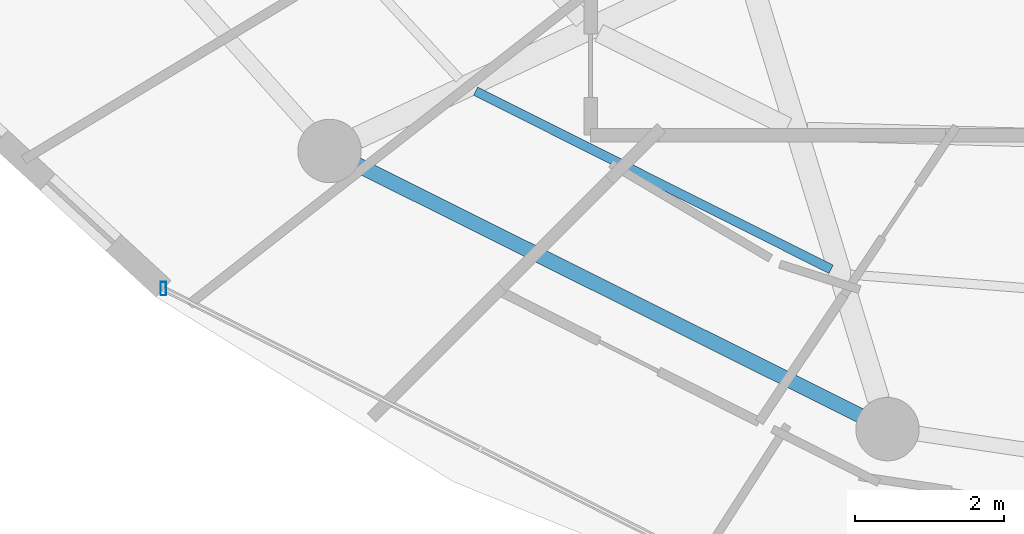
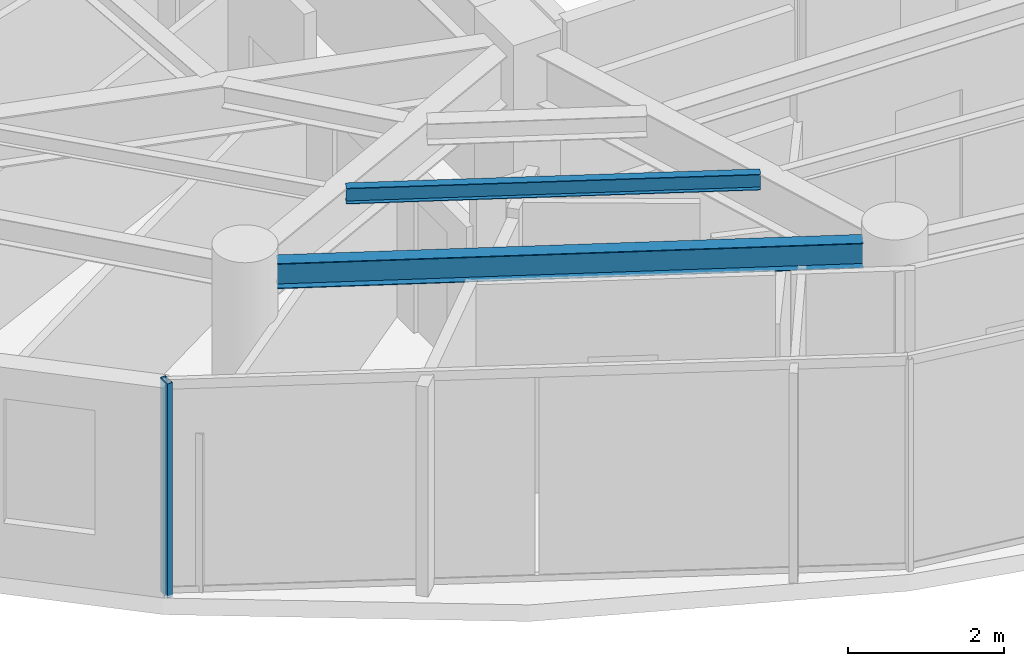
# One storey, part 2 of 30: 2 beams, 1 member, 1 element without a shape of its own.
"""IFC4 building model written with IfcOpenShell, lengths in metres."""

from ifc_helpers import new_model, si_unit, direction, frame, origin, origin_2d, place, context, subcontext, project, spatial, hollow_rectangle, i_section, extrude, material, material_profile, profile_set, type_object, element, aggregate, save


model = new_model("IFC4")

# Units and contexts
model_context = context("Model", 3, precision=1e-05, world=origin(), true_north=direction((0.0, 1.0)))
body_context = subcontext(model_context, "Body", "Model", "MODEL_VIEW")
ifc_project = project(units=[si_unit("LENGTHUNIT", "METRE"), si_unit("AREAUNIT", "SQUARE_METRE"), si_unit("VOLUMEUNIT", "CUBIC_METRE"), si_unit("PLANEANGLEUNIT", "RADIAN"), si_unit("MASSUNIT", "GRAM", prefix="KILO")], contexts=[model_context])

# Site, building, storey
site_placement = place(None, origin())
site = spatial("IfcSite", under=ifc_project, at=site_placement, CompositionType="ELEMENT")
building_placement = place(site_placement, origin())
building = spatial("IfcBuilding", under=site, at=building_placement, Name="Vorneva Point Tower", CompositionType="ELEMENT")
storey_placement = place(building_placement, frame((0.0, 0.0, 262.64990234375)))
storey = spatial("IfcBuildingStorey", under=building, at=storey_placement, Name="L71", CompositionType="ELEMENT", Elevation=262.64990234375)

# Beams
ifc_material_1 = material(Name="Steel S355", Category="steel")
ifc_material_profile_1 = material_profile(ifc_material_1, i_section(OverallWidth=0.1240234375, OverallDepth=0.248046875, WebThickness=0.0048828125, FlangeThickness=0.008056640625, at=origin_2d()), Name="25B1")
ifc_profile_set_1 = profile_set([ifc_material_profile_1], Name="Steel S355")
beam_type_1 = type_object("IfcBeamType", Name="BM-JST-25B1", PredefinedType="JOIST", material=ifc_profile_set_1)
beam_1_placement = place(storey_placement, frame((23.658447265625, 14.639404296875, 3.166015625), z_axis=(0.894042010331, -0.447983128883, 0.0), x_axis=(0.447983128883, 0.894042010331, 0.0)))
element("IfcBeam", 1, at=beam_1_placement, inside=storey, type_object=beam_type_1, Name="L71 Secondary Floor Beam 1.11", PredefinedType="JOIST", context=body_context, shape_type="SweptSolid", body=[
    extrude(i_section(OverallWidth=0.1240234375, OverallDepth=0.248046875, WebThickness=0.0048828125, FlangeThickness=0.008056640625, at=origin_2d()), origin(), (0.0, 0.0, 1.0), 5.328857421875),
])
ifc_material_profile_2 = material_profile(ifc_material_1, i_section(OverallWidth=0.198974609375, OverallDepth=0.39599609375, WebThickness=0.007080078125, FlangeThickness=0.010986328125, at=origin_2d()), Name="40B1")
ifc_profile_set_2 = profile_set([ifc_material_profile_2], Name="Steel S355")
beam_type_2 = type_object("IfcBeamType", Name="BM-SPN-40B1", PredefinedType="SPANDREL", material=ifc_profile_set_2)
beam_2_placement = place(storey_placement, frame((22.068115234375, 13.65478515625, 3.092041015625), z_axis=(0.894932011528, -0.446202526599, 0.0), x_axis=(0.446202526599, 0.894932011528, 0.0)))
element("IfcBeam", 2, at=beam_2_placement, inside=storey, type_object=beam_type_2, Name="L71 Perimeter Spandrel Ring Beam 11", PredefinedType="SPANDREL", context=body_context, shape_type="SweptSolid", body=[
    extrude(i_section(OverallWidth=0.198974609375, OverallDepth=0.39599609375, WebThickness=0.007080078125, FlangeThickness=0.010986328125, at=origin_2d()), origin(), (0.0, 0.0, 1.0), 7.535888671875),
])

# Curtain wall, member
ifc_material_2 = material(Name="Pale anodised aluminium", Category="aluminium")
curtain_wall_type = type_object("IfcCurtainWallType", Name="CW-RES-SYS", PredefinedType="NOTDEFINED", material=ifc_material_2)
curtain_wall_placement = place(storey_placement, origin())
curtain_wall = element("IfcCurtainWall", 3, at=curtain_wall_placement, inside=storey, type_object=curtain_wall_type, Name="L71 Unitised Curtain Wall CW-L71-R04", PredefinedType="NOTDEFINED")
ifc_material_profile_3 = material_profile(ifc_material_2, hollow_rectangle(XDim=0.074951171875, YDim=0.179931640625, WallThickness=0.00390625, at=origin_2d()), Name="AL-MUL 180x75x4")
ifc_profile_set_3 = profile_set([ifc_material_profile_3], Name="Pale anodised aluminium")
member_type = type_object("IfcMemberType", Name="CW-MUL-180", PredefinedType="MULLION", material=ifc_profile_set_3)
member_placement = place(storey_placement, frame((19.473876953125, 11.9921875, -0.039794921875), z_axis=(0.0, 0.0, 1.0), x_axis=(1.0, 0.0, 0.0)))
member = element("IfcMember", 4, at=member_placement, type_object=member_type, Name="CW-L71-R04 Mullion 01", PredefinedType="MULLION", context=body_context, shape_type="SweptSolid", body=[
    extrude(hollow_rectangle(XDim=0.074951171875, YDim=0.179931640625, WallThickness=0.00390625, at=origin_2d()), origin(), (0.0, 0.0, 1.0), 3.35986328125),
])
aggregate(curtain_wall, [member])

save(model, "model.ifc")
